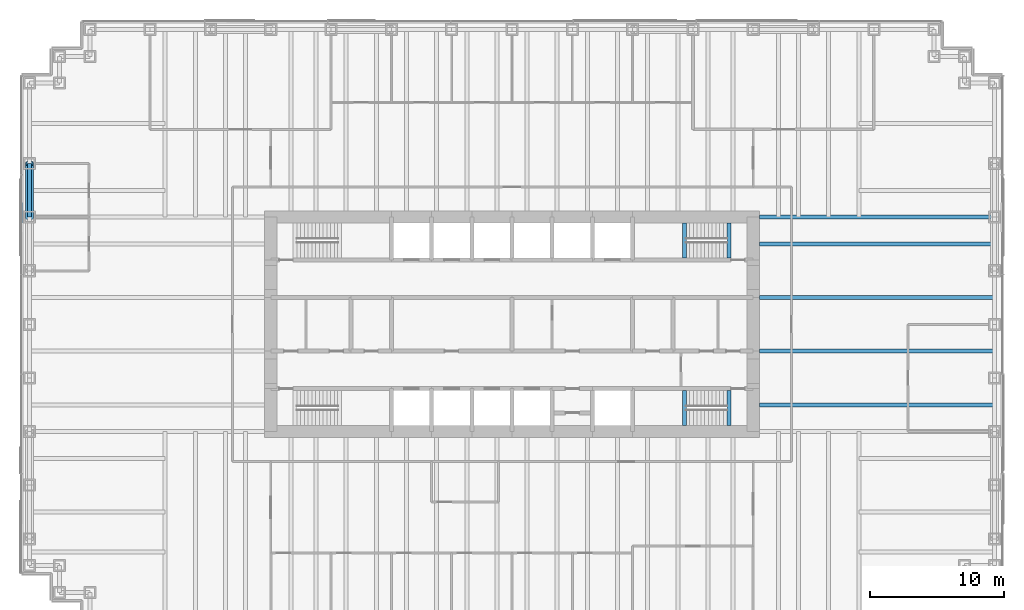
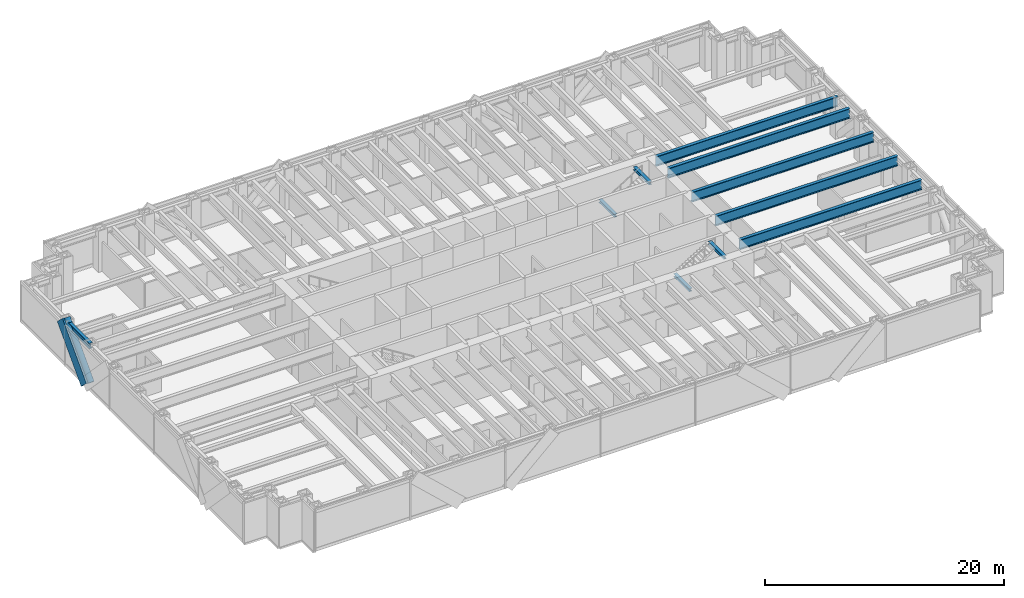
# One storey, part 5 of 15: 10 beams, 2 members, 1 element without a shape of its own.
"""IFC4 building model written with IfcOpenShell, lengths in metres."""

from ifc_helpers import new_model, si_unit, direction, frame, origin, origin_2d, place, context, subcontext, project, spatial, rectangle, hollow_circle, i_section, extrude, material, material_profile, profile_set, type_object, element, aggregate, save


model = new_model("IFC4")

# Units and contexts
model_context = context("Model", 3, precision=1e-05, world=origin(), true_north=direction((0.0, 1.0)))
body_context = subcontext(model_context, "Body", "Model", "MODEL_VIEW")
ifc_project = project(units=[si_unit("LENGTHUNIT", "METRE"), si_unit("AREAUNIT", "SQUARE_METRE"), si_unit("VOLUMEUNIT", "CUBIC_METRE"), si_unit("PLANEANGLEUNIT", "RADIAN"), si_unit("MASSUNIT", "GRAM", prefix="KILO")], contexts=[model_context])

# Site, building, storey
site_placement = place(None, origin())
site = spatial("IfcSite", under=ifc_project, at=site_placement, CompositionType="ELEMENT")
building_placement = place(site_placement, origin())
building = spatial("IfcBuilding", under=site, at=building_placement, Name="Rheinbord Bourse Tower", CompositionType="ELEMENT")
storey_placement = place(building_placement, frame((0.0, 0.0, 113.10009765625)))
storey = spatial("IfcBuildingStorey", under=building, at=storey_placement, Name="L24", CompositionType="ELEMENT", Elevation=113.10009765625)

# Curtain wall, member
ifc_material_1 = material(Name="Dark glass and black aluminium", Category="aluminium")
curtain_wall_type = type_object("IfcCurtainWallType", Name="CW2 DARK GLASS CURTAIN WALL", PredefinedType="USERDEFINED", material=ifc_material_1)
curtain_wall_placement = place(storey_placement, origin())
curtain_wall = element("IfcCurtainWall", 1, at=curtain_wall_placement, inside=storey, type_object=curtain_wall_type, Name="Curtain wall CW2 W L24", ObjectType="UNITISED CURTAIN WALL", PredefinedType="USERDEFINED")
ifc_material_2 = material(Name="Black anodised aluminium", Category="aluminium")
ifc_material_profile_1 = material_profile(ifc_material_2, rectangle(XDim=0.159912109375, YDim=1.2099609375, at=origin_2d()), Name="CW2 DIAGONAL MULLION 1210x160")
ifc_profile_set_1 = profile_set([ifc_material_profile_1], Name="Black anodised aluminium")
member_type_1 = type_object("IfcMemberType", Name="CW2 BLACK DIAGONAL MULLION", PredefinedType="USERDEFINED", material=ifc_profile_set_1)
member_1_placement = place(storey_placement, frame((-0.60009765625, 32.0, 0.0), z_axis=(0.0, 0.689659376744, 0.724133926887), x_axis=(-1.0, 0.0, 0.0)))
member_1 = element("IfcMember", 2, at=member_1_placement, type_object=member_type_1, Name="CW2 diagonal mullion a", ObjectType="DIAGONAL MULLION", PredefinedType="USERDEFINED", context=body_context, shape_type="SweptSolid", body=[
    extrude(rectangle(XDim=0.159912109375, YDim=1.2099609375, at=origin_2d()), origin(), (0.0, 0.0, 1.0), 5.800048828125),
])
aggregate(curtain_wall, [member_1])

# Beams
ifc_material_3 = material(Name="Steel S460", Category="steel")
ifc_material_profile_2 = material_profile(ifc_material_3, i_section(OverallWidth=0.302001953125, OverallDepth=1.008056640625, WebThickness=0.02099609375, FlangeThickness=0.0400390625, at=origin_2d()), Name="HEM 1000")
ifc_profile_set_2 = profile_set([ifc_material_profile_2], Name="Steel S460")
beam_type_1 = type_object("IfcBeamType", Name="END BEAM HEM 1000", PredefinedType="BEAM", material=ifc_profile_set_2)
for number, where, z_axis, x_axis, name in (
    (3, (54.449951171875, 18.0, 3.535888671875), (1.0, 0.0, 0.0), (0.0, 1.0, 0.0), "End beam east 18 L25"),
    (4, (54.449951171875, 22.0, 3.535888671875), (1.0, 0.0, 0.0), (0.0, 1.0, 0.0), "End beam east 22 L25"),
    (5, (54.449951171875, 26.0, 3.535888671875), (1.0, 0.0, 0.0), (0.0, 1.0, 0.0), "End beam east 26 L25"),
    (6, (54.449951171875, 30.0, 3.535888671875), (1.0, 0.0, 0.0), (0.0, 1.0, 0.0), "End beam east 30 L25"),
):
    element("IfcBeam", number, at=place(storey_placement, frame(where, z_axis=z_axis, x_axis=x_axis)), inside=storey, type_object=beam_type_1, Name=name, PredefinedType="BEAM", context=body_context, shape_type="SweptSolid", body=[
        extrude(i_section(OverallWidth=0.302001953125, OverallDepth=1.008056640625, WebThickness=0.02099609375, FlangeThickness=0.0400390625, at=origin_2d()), origin(), (0.0, 0.0, 1.0), 17.550048828125),
    ])
ifc_material_4 = material(Name="Steel S460", Category="steel")
ifc_material_profile_3 = material_profile(ifc_material_4, i_section(OverallWidth=0.302001953125, OverallDepth=1.008056640625, WebThickness=0.02099609375, FlangeThickness=0.0400390625, at=origin_2d()), Name="HEM 1000")
ifc_profile_set_3 = profile_set([ifc_material_profile_3], Name="Steel S460")
beam_type_2 = type_object("IfcBeamType", Name="GIRDER HEM 1000", PredefinedType="BEAM", material=ifc_profile_set_3)
beam_1_placement = place(storey_placement, frame((54.449951171875, 32.0, 3.535888671875), z_axis=(1.0, 0.0, 0.0), x_axis=(0.0, 1.0, 0.0)))
element("IfcBeam", 7, at=beam_1_placement, inside=storey, type_object=beam_type_2, Name="Girder east 32 L25", PredefinedType="BEAM", context=body_context, shape_type="SweptSolid", body=[
    extrude(i_section(OverallWidth=0.302001953125, OverallDepth=1.008056640625, WebThickness=0.02099609375, FlangeThickness=0.0400390625, at=origin_2d()), origin(), (0.0, 0.0, 1.0), 17.550048828125),
])
ifc_material_5 = material(Name="Steel S460", Category="steel")
ifc_material_profile_4 = material_profile(ifc_material_5, i_section(OverallWidth=0.300048828125, OverallDepth=0.300048828125, WebThickness=0.010986328125, FlangeThickness=0.01904296875, at=origin_2d()), Name="HEB 300")
ifc_profile_set_4 = profile_set([ifc_material_profile_4], Name="Steel S460")
beam_type_3 = type_object("IfcBeamType", Name="LANDING TRIMMER HEB 300", PredefinedType="BEAM", material=ifc_profile_set_4)
for number, where, z_axis, x_axis, name in (
    (8, (48.8701171875, 16.449951171875, 1.75), (0.0, 1.0, 0.0), (-1.0, 0.0, 0.0), "Landing trimmer ST3 L24"),
    (9, (52.199951171875, 16.449951171875, 3.889892578125), (0.0, 1.0, 0.0), (-1.0, 0.0, 0.0), "Well trimmer ST3 under L25"),
    (10, (48.8701171875, 28.949951171875, 1.75), (0.0, 1.0, 0.0), (-1.0, 0.0, 0.0), "Landing trimmer ST4 L24"),
    (11, (52.199951171875, 28.949951171875, 3.889892578125), (0.0, 1.0, 0.0), (-1.0, 0.0, 0.0), "Well trimmer ST4 under L25"),
):
    element("IfcBeam", number, at=place(storey_placement, frame(where, z_axis=z_axis, x_axis=x_axis)), inside=storey, type_object=beam_type_3, Name=name, PredefinedType="BEAM", context=body_context, shape_type="SweptSolid", body=[
        extrude(i_section(OverallWidth=0.300048828125, OverallDepth=0.300048828125, WebThickness=0.010986328125, FlangeThickness=0.01904296875, at=origin_2d()), origin(), (0.0, 0.0, 1.0), 2.60009765625),
    ])

# Member
ifc_material_6 = material(Name="Steel S460", Category="steel")
ifc_material_profile_5 = material_profile(ifc_material_6, hollow_circle(Radius=0.304931640625, WallThickness=0.0400390625, at=origin_2d()), Name="CHS 610x40")
ifc_profile_set_5 = profile_set([ifc_material_profile_5], Name="Steel S460")
member_type_2 = type_object("IfcMemberType", Name="MEGABRACE CHS 610x40", PredefinedType="BRACE", material=ifc_profile_set_5)
member_2_placement = place(storey_placement, frame((0.0, 32.0, 0.0), z_axis=(0.0, 0.689659376744, 0.724133926887), x_axis=(-1.0, 0.0, 0.0)))
element("IfcMember", 12, at=member_2_placement, inside=storey, type_object=member_type_2, Name="Megabrace W face line a L24", PredefinedType="BRACE", context=body_context, shape_type="SweptSolid", body=[
    extrude(hollow_circle(Radius=0.304931640625, WallThickness=0.0400390625, at=origin_2d()), origin(), (0.0, 0.0, 1.0), 5.800048828125),
])

# Beam
ifc_material_7 = material(Name="Steel S460", Category="steel")
ifc_material_profile_6 = material_profile(ifc_material_7, i_section(OverallWidth=0.305908203125, OverallDepth=0.572021484375, WebThickness=0.02099609375, FlangeThickness=0.0400390625, at=origin_2d()), Name="HEM 550")
ifc_profile_set_6 = profile_set([ifc_material_profile_6], Name="Steel S460")
beam_type_4 = type_object("IfcBeamType", Name="SPANDREL HEM 550", PredefinedType="SPANDREL", material=ifc_profile_set_6)
beam_2_placement = place(storey_placement, frame((0.0, 36.0, 3.75390625), z_axis=(0.0, -1.0, 0.0), x_axis=(1.0, 0.0, 0.0)))
element("IfcBeam", 13, at=beam_2_placement, inside=storey, type_object=beam_type_4, Name="Spandrel W-36-W-32 under L25", PredefinedType="SPANDREL", context=body_context, shape_type="SweptSolid", body=[
    extrude(i_section(OverallWidth=0.305908203125, OverallDepth=0.572021484375, WebThickness=0.02099609375, FlangeThickness=0.0400390625, at=origin_2d()), origin(), (0.0, 0.0, 1.0), 4.0),
])

save(model, "model.ifc")
